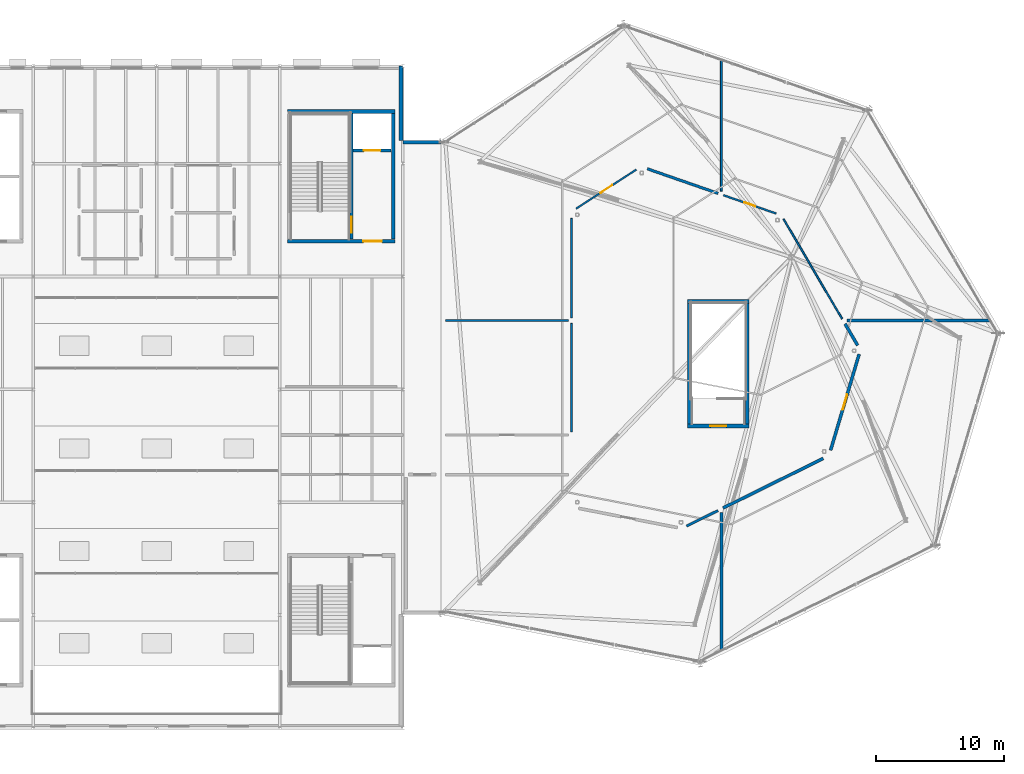
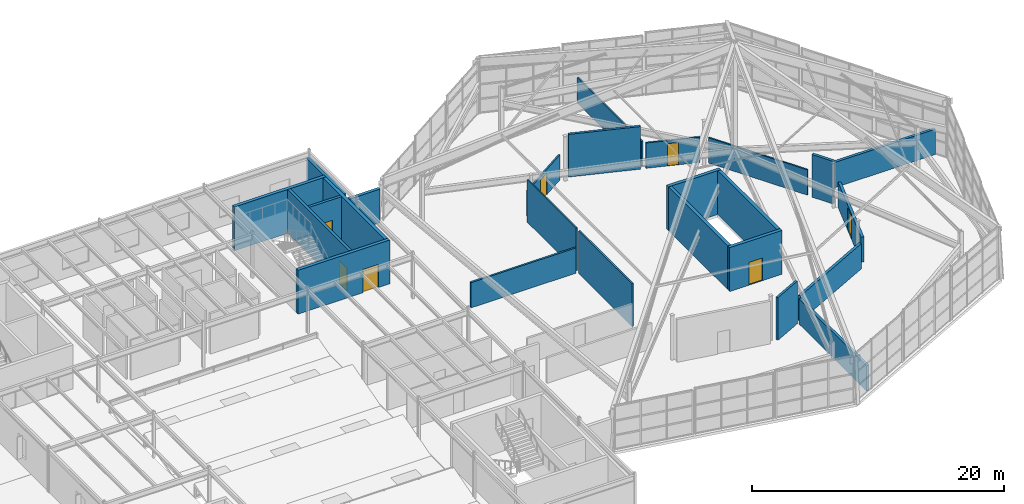
# One storey, part 43 of 50: 25 walls, 7 doors, 7 openings.
"""IFC4 building model written with IfcOpenShell, lengths in metres."""

from ifc_helpers import new_model, si_unit, direction, frame, frame_2d, origin, place, context, subcontext, project, spatial, rectangle, extrude, material, layer, layer_set, type_object, element, fill, save


model = new_model("IFC4")

# Units and contexts
model_context = context("Model", 3, precision=1e-05, world=origin(), true_north=direction((0.0, 1.0)))
body_context = subcontext(model_context, "Body", "Model", "MODEL_VIEW")
ifc_project = project(units=[si_unit("LENGTHUNIT", "METRE"), si_unit("AREAUNIT", "SQUARE_METRE"), si_unit("VOLUMEUNIT", "CUBIC_METRE"), si_unit("PLANEANGLEUNIT", "RADIAN"), si_unit("MASSUNIT", "GRAM", prefix="KILO")], contexts=[model_context])

# Site, building, storey
site_placement = place(None, origin())
site = spatial("IfcSite", under=ifc_project, at=site_placement, CompositionType="ELEMENT")
building_placement = place(site_placement, origin())
building = spatial("IfcBuilding", under=site, at=building_placement, Name="Sarnbrook Museum", CompositionType="ELEMENT")
storey_placement = place(building_placement, frame((0.0, 0.0, 28.10009765625)))
storey = spatial("IfcBuildingStorey", under=building, at=storey_placement, Name="L05", CompositionType="ELEMENT", Elevation=28.10009765625)

# Wall, opening, door
ifc_material_1 = material(Name="Concrete N50 (AS 3600, f'c = 50 MPa)", Category="concrete")
ifc_layer_1 = layer(ifc_material_1, 0.300048828125)
ifc_layer_set_1 = layer_set([ifc_layer_1], Name="Concrete N50 (AS 3600, f'c = 50 MPa)")
wall_type_1 = type_object("IfcWallType", Name="CoreWall_CWRC", PredefinedType="SHEAR", material=ifc_layer_set_1)
wall_1_placement = place(storey_placement, frame((110.199951171875, 94.75, 0.0), z_axis=(0.0, 0.0, 1.0), x_axis=(1.0, 0.0, 0.0)))
wall_1 = element("IfcWall", 1, at=wall_1_placement, inside=storey, type_object=wall_type_1, Name="Core C2 Shear Wall S L05", PredefinedType="SHEAR", context=body_context, shape_type="SweptSolid", body=[
    extrude(rectangle(XDim=8.400146484375, YDim=0.300048828125, at=frame_2d((4.2001953125, 0.0))), origin(), (0.0, 0.0, 1.0), 4.244873046875),
])
opening_1_placement = place(wall_1_placement, frame((5.925048828125, 0.0, 0.0)))
opening_1 = element("IfcOpeningElement", 2, at=opening_1_placement, cuts=wall_1, Name="Opening D-LOB-C2-L05", PredefinedType="OPENING", context=body_context, shape_type="SweptSolid", body=[
    extrude(rectangle(XDim=1.449951171875, YDim=2.25, at=frame_2d((0.72509765625, 1.125))), frame((0.0, 0.16015625, 0.0), z_axis=(0.0, -1.0, 0.0), x_axis=(1.0, 0.0, 0.0)), (0.0, 0.0, 1.0), 0.320068359375),
])
ifc_material_2 = material(Name="Tasmanian Oak Acoustic Timber", Category="wood")
door_type_1 = type_object("IfcDoorType", Name="FireDoor_FD120W", OperationType="NOTDEFINED", PredefinedType="DOOR", material=ifc_material_2)
door_1_placement = place(opening_1_placement, origin())
door_1 = element("IfcDoor", 3, at=door_1_placement, inside=storey, type_object=door_type_1, Name="Core C2 Fire Lobby Entry Door L05", OperationType="SINGLE_SWING_RIGHT", OverallHeight=2.25, OverallWidth=1.449951171875, PredefinedType="DOOR", context=body_context, shape_type="SweptSolid", body=[
    extrude(rectangle(XDim=1.449951171875, YDim=2.25, at=frame_2d((0.72509765625, 1.125))), frame((0.0, 0.02490234375, 0.0), z_axis=(0.0, -1.0, 0.0), x_axis=(1.0, 0.0, 0.0)), (0.0, 0.0, 1.0), 0.050048828125),
])
fill(opening_1, door_1)

# Walls
wall_2_placement = place(storey_placement, frame((118.60009765625, 104.85009765625, 0.0), z_axis=(0.0, 0.0, 1.0), x_axis=(-1.0, 0.0, 0.0)))
element("IfcWall", 4, at=wall_2_placement, inside=storey, type_object=wall_type_1, Name="Core C2 Shear Wall N L05", PredefinedType="SHEAR", context=body_context, shape_type="SweptSolid", body=[
    extrude(rectangle(XDim=8.400146484375, YDim=0.300048828125, at=frame_2d((4.2001953125, 0.0))), origin(), (0.0, 0.0, 1.0), 4.244873046875),
])
wall_3_placement = place(storey_placement, frame((118.449951171875, 94.909912109375, 0.0), z_axis=(0.0, 0.0, 1.0), x_axis=(0.0, 1.0, 0.0)))
element("IfcWall", 5, at=wall_3_placement, inside=storey, type_object=wall_type_1, Name="Core C2 Shear Wall E L05", PredefinedType="SHEAR", context=body_context, shape_type="SweptSolid", body=[
    extrude(rectangle(XDim=9.780029296875, YDim=0.300048828125, at=frame_2d((4.89013671875, 0.0))), origin(), (0.0, 0.0, 1.0), 4.244873046875),
])

# Wall, opening, door
wall_4_placement = place(storey_placement, frame((141.39990234375, 80.35009765625, 0.0), z_axis=(0.0, 0.0, 1.0), x_axis=(1.0, 0.0, 0.0)))
wall_4 = element("IfcWall", 6, at=wall_4_placement, inside=storey, type_object=wall_type_1, Name="Core C7 Shear Wall S L05", PredefinedType="SHEAR", context=body_context, shape_type="SweptSolid", body=[
    extrude(rectangle(XDim=4.800048828125, YDim=0.300048828125, at=frame_2d((2.39990234375, 0.0))), origin(), (0.0, 0.0, 1.0), 4.244873046875),
])
opening_2_placement = place(wall_4_placement, frame((1.77490234375, 0.0, 0.0)))
opening_2 = element("IfcOpeningElement", 7, at=opening_2_placement, cuts=wall_4, Name="Opening D-ST-ST7-L05", PredefinedType="OPENING", context=body_context, shape_type="SweptSolid", body=[
    extrude(rectangle(XDim=1.25, YDim=2.199951171875, at=frame_2d((0.625, 1.10009765625))), frame((0.0, 0.16015625, 0.0), z_axis=(0.0, -1.0, 0.0), x_axis=(1.0, 0.0, 0.0)), (0.0, 0.0, 1.0), 0.320068359375),
])
door_type_2 = type_object("IfcDoorType", Name="FireDoor_FD120", OperationType="NOTDEFINED", PredefinedType="DOOR", material=ifc_material_2)
door_2_placement = place(opening_2_placement, origin())
door_2 = element("IfcDoor", 8, at=door_2_placement, inside=storey, type_object=door_type_2, Name="Exit Stair ST7 Fire Door L05", OperationType="SINGLE_SWING_LEFT", OverallHeight=2.199951171875, OverallWidth=1.25, PredefinedType="DOOR", context=body_context, shape_type="SweptSolid", body=[
    extrude(rectangle(XDim=1.25, YDim=2.199951171875, at=frame_2d((0.625, 1.10009765625))), frame((0.0, 0.02490234375, 0.0), z_axis=(0.0, -1.0, 0.0), x_axis=(1.0, 0.0, 0.0)), (0.0, 0.0, 1.0), 0.050048828125),
])
fill(opening_2, door_2)

# Walls
wall_5_placement = place(storey_placement, frame((146.199951171875, 90.050048828125, 0.0), z_axis=(0.0, 0.0, 1.0), x_axis=(-1.0, 0.0, 0.0)))
element("IfcWall", 9, at=wall_5_placement, inside=storey, type_object=wall_type_1, Name="Core C7 Shear Wall N L05", PredefinedType="SHEAR", context=body_context, shape_type="SweptSolid", body=[
    extrude(rectangle(XDim=4.800048828125, YDim=0.300048828125, at=frame_2d((2.39990234375, 0.0))), origin(), (0.0, 0.0, 1.0), 4.244873046875),
])
for number, where, z_axis, x_axis, name in (
    (10, (146.050048828125, 80.510009765625, 0.0), (0.0, 0.0, 1.0), (0.0, 1.0, 0.0), "Core C7 Shear Wall E L05"),
    (11, (141.550048828125, 89.889892578125, 0.0), (0.0, 0.0, 1.0), (0.0, -1.0, 0.0), "Core C7 Shear Wall W L05"),
):
    element("IfcWall", number, at=place(storey_placement, frame(where, z_axis=z_axis, x_axis=x_axis)), inside=storey, type_object=wall_type_1, Name=name, PredefinedType="SHEAR", context=body_context, shape_type="SweptSolid", body=[
        extrude(rectangle(XDim=9.3798828125, YDim=0.300048828125, at=frame_2d((4.68994140625, 0.0))), origin(), (0.0, 0.0, 1.0), 4.244873046875),
    ])
ifc_material_3 = material(Name="Fire-Rated Acoustic Gypsum Plasterboard")
ifc_layer_2 = layer(ifc_material_3, 0.1201171875)
ifc_layer_set_2 = layer_set([ifc_layer_2], Name="Fire-Rated Acoustic Gypsum Plasterboard")
wall_type_2 = type_object("IfcWallType", Name="PartWall_P120", PredefinedType="PARTITIONING", material=ifc_layer_set_2)
wall_6_placement = place(storey_placement, frame((132.35009765625, 96.52734375, 0.0), z_axis=(0.0, 0.0, 1.0), x_axis=(0.0, -1.0, 0.0)))
element("IfcWall", 12, at=wall_6_placement, inside=storey, type_object=wall_type_2, Name="Interior Partition Wall L05-0825", PredefinedType="PARTITIONING", context=body_context, shape_type="SweptSolid", body=[
    extrude(rectangle(XDim=7.76171875, YDim=0.1201171875, at=frame_2d((3.880859375, 0.0))), origin(), (0.0, 0.0, 1.0), 4.1298828125),
])

# Wall, opening, door
ifc_layer_3 = layer(ifc_material_3, 0.135009765625)
ifc_layer_set_3 = layer_set([ifc_layer_3], Name="Fire-Rated Acoustic Gypsum Plasterboard")
wall_type_3 = type_object("IfcWallType", Name="PartWall_P135", PredefinedType="PARTITIONING", material=ifc_layer_set_3)
wall_7_placement = place(storey_placement, frame((137.409423828125, 100.339111328125, 0.0), z_axis=(0.0, 0.0, 1.0), x_axis=(-0.838914477988, -0.544263262238, 0.0)))
wall_7 = element("IfcWall", 13, at=wall_7_placement, inside=storey, type_object=wall_type_3, Name="Interior Partition Wall L05-0824", PredefinedType="PARTITIONING", context=body_context, shape_type="SweptSolid", body=[
    extrude(rectangle(XDim=5.599609375, YDim=0.135009765625, at=frame_2d((2.7998046875, 0.0))), origin(), (0.0, 0.0, 1.0), 2.449951171875),
])
opening_3_placement = place(wall_7_placement, frame((2.249755859375, 0.0, 0.0)))
opening_3 = element("IfcOpeningElement", 14, at=opening_3_placement, cuts=wall_7, Name="Opening D-L05-233", PredefinedType="OPENING", context=body_context, shape_type="SweptSolid", body=[
    extrude(rectangle(XDim=1.10009765625, YDim=2.080078125, at=frame_2d((0.550048828125, 1.0400390625))), frame((0.0, 0.07763671875, 0.0), z_axis=(0.0, -1.0, 0.0), x_axis=(1.0, 0.0, 0.0)), (0.0, 0.0, 1.0), 0.155029296875),
])
door_type_3 = type_object("IfcDoorType", Name="IntDoor_DT05", OperationType="NOTDEFINED", PredefinedType="DOOR", material=ifc_material_2)
door_3_placement = place(opening_3_placement, origin())
door_3 = element("IfcDoor", 15, at=door_3_placement, inside=storey, type_object=door_type_3, Name="Members' Reading & Salon Pavilion L05-3 Door D-L05-233", OperationType="SINGLE_SWING_LEFT", OverallHeight=2.080078125, OverallWidth=1.10009765625, PredefinedType="DOOR", context=body_context, shape_type="SweptSolid", body=[
    extrude(rectangle(XDim=1.10009765625, YDim=2.080078125, at=frame_2d((0.550048828125, 1.0400390625))), frame((0.0, 0.02490234375, 0.0), z_axis=(0.0, -1.0, 0.0), x_axis=(1.0, 0.0, 0.0)), (0.0, 0.0, 1.0), 0.050048828125),
])
fill(opening_3, door_3)

# Walls
wall_8_placement = place(storey_placement, frame((153.44677734375, 88.693603515625, 0.0), z_axis=(0.0, 0.0, 1.0), x_axis=(-0.506061544591, 0.862497369901, 0.0)))
element("IfcWall", 16, at=wall_8_placement, inside=storey, type_object=wall_type_3, Name="Interior Partition Wall L05-0831", PredefinedType="PARTITIONING", context=body_context, shape_type="SweptSolid", body=[
    extrude(rectangle(XDim=9.02978515625, YDim=0.135009765625, at=frame_2d((4.514892578125, 0.0))), origin(), (0.0, 0.0, 1.0), 2.449951171875),
])
ifc_layer_4 = layer(ifc_material_3, 0.14990234375)
ifc_layer_set_4 = layer_set([ifc_layer_4], Name="Fire-Rated Acoustic Gypsum Plasterboard")
wall_type_4 = type_object("IfcWallType", Name="PartWall_P150", PredefinedType="PARTITIONING", material=ifc_layer_set_4)
wall_9_placement = place(storey_placement, frame((132.35009765625, 88.345703125, 0.0), z_axis=(0.0, 0.0, 1.0), x_axis=(0.0, -1.0, 0.0)))
element("IfcWall", 17, at=wall_9_placement, inside=storey, type_object=wall_type_4, Name="Interior Partition Wall L05-0823", PredefinedType="PARTITIONING", context=body_context, shape_type="SweptSolid", body=[
    extrude(rectangle(XDim=8.4658203125, YDim=0.14990234375, at=frame_2d((4.23291015625, 0.0))), origin(), (0.0, 0.0, 1.0), 4.1298828125),
])

# Wall, opening, door
wall_10_placement = place(storey_placement, frame((148.309326171875, 96.90576171875, 0.0), z_axis=(0.0, 0.0, 1.0), x_axis=(-0.944666442817, 0.328032485916, 0.0)))
wall_10 = element("IfcWall", 18, at=wall_10_placement, inside=storey, type_object=wall_type_4, Name="Interior Partition Wall L05-0830", PredefinedType="PARTITIONING", context=body_context, shape_type="SweptSolid", body=[
    extrude(rectangle(XDim=4.364990234375, YDim=0.14990234375, at=frame_2d((2.1826171875, 0.0))), origin(), (0.0, 0.0, 1.0), 2.449951171875),
])
opening_4_placement = place(wall_10_placement, frame((1.72265625, 0.0, 0.0)))
opening_4 = element("IfcOpeningElement", 19, at=opening_4_placement, cuts=wall_10, Name="Opening D-L05-235", PredefinedType="OPENING", context=body_context, shape_type="SweptSolid", body=[
    extrude(rectangle(XDim=0.919921875, YDim=2.159912109375, at=frame_2d((0.4599609375, 1.080078125))), frame((0.0, 0.0849609375, 0.0), z_axis=(0.0, -1.0, 0.0), x_axis=(1.0, 0.0, 0.0)), (0.0, 0.0, 1.0), 0.169921875),
])
door_type_4 = type_object("IfcDoorType", Name="IntDoor_DT07", OperationType="NOTDEFINED", PredefinedType="DOOR", material=ifc_material_2)
door_4_placement = place(opening_4_placement, origin())
door_4 = element("IfcDoor", 20, at=door_4_placement, inside=storey, type_object=door_type_4, Name="Belvedere Sky-Lit Natural Art Gallery L05-5 Door D-L05-235", OperationType="SINGLE_SWING_LEFT", OverallHeight=2.159912109375, OverallWidth=0.919921875, PredefinedType="DOOR", context=body_context, shape_type="SweptSolid", body=[
    extrude(rectangle(XDim=0.919921875, YDim=2.159912109375, at=frame_2d((0.4599609375, 1.080078125))), frame((0.0, 0.02490234375, 0.0), z_axis=(0.0, -1.0, 0.0), x_axis=(1.0, 0.0, 0.0)), (0.0, 0.0, 1.0), 0.050048828125),
])
fill(opening_4, door_4)

# Walls
wall_11_placement = place(storey_placement, frame((144.038330078125, 108.83740234375, 0.0), z_axis=(0.0, 0.0, 1.0), x_axis=(0.0, -1.0, 0.0)))
element("IfcWall", 21, at=wall_11_placement, inside=storey, type_object=wall_type_4, Name="Interior Partition Wall L05-0837", PredefinedType="PARTITIONING", context=body_context, shape_type="SweptSolid", body=[
    extrude(rectangle(XDim=10.174072265625, YDim=0.14990234375, at=frame_2d((5.0869140625, 0.0))), origin(), (0.0, 0.0, 1.0), 2.449951171875),
])
ifc_layer_5 = layer(ifc_material_3, 0.1650390625)
ifc_layer_set_5 = layer_set([ifc_layer_5], Name="Fire-Rated Acoustic Gypsum Plasterboard")
wall_type_5 = type_object("IfcWallType", Name="PartWall_P165", PredefinedType="PARTITIONING", material=ifc_layer_set_5)
wall_12_placement = place(storey_placement, frame((122.522216796875, 88.57568359375, 0.0), z_axis=(0.0, 0.0, 1.0), x_axis=(1.0, 0.0, 0.0)))
element("IfcWall", 22, at=wall_12_placement, inside=storey, type_object=wall_type_5, Name="Interior Partition Wall L05-0836", PredefinedType="PARTITIONING", context=body_context, shape_type="SweptSolid", body=[
    extrude(rectangle(XDim=9.597900390625, YDim=0.1650390625, at=frame_2d((4.798828125, 0.0))), origin(), (0.0, 0.0, 1.0), 2.449951171875),
])
ifc_layer_6 = layer(ifc_material_3, 0.195068359375)
ifc_layer_set_6 = layer_set([ifc_layer_6], Name="Fire-Rated Acoustic Gypsum Plasterboard")
wall_type_6 = type_object("IfcWallType", Name="PartWall_P195", PredefinedType="PARTITIONING", material=ifc_layer_set_6)
wall_13_placement = place(storey_placement, frame((141.314697265625, 72.538330078125, 0.0), z_axis=(0.0, 0.0, 1.0), x_axis=(0.896183224419, 0.443684153729, 0.0)))
element("IfcWall", 23, at=wall_13_placement, inside=storey, type_object=wall_type_6, Name="Interior Partition Wall L05-0820", PredefinedType="PARTITIONING", context=body_context, shape_type="SweptSolid", body=[
    extrude(rectangle(XDim=2.741943359375, YDim=0.195068359375, at=frame_2d((1.37109375, 0.0))), origin(), (0.0, 0.0, 1.0), 4.1298828125),
])
ifc_layer_7 = layer(ifc_material_3, 0.2099609375)
ifc_layer_set_7 = layer_set([ifc_layer_7], Name="Fire-Rated Acoustic Gypsum Plasterboard")
wall_type_7 = type_object("IfcWallType", Name="PartWall_P210", PredefinedType="PARTITIONING", material=ifc_layer_set_7)
wall_14_placement = place(storey_placement, frame((143.77880859375, 98.478759765625, 0.0), z_axis=(0.0, 0.0, 1.0), x_axis=(-0.94466592491, 0.328033977378, 0.0)))
element("IfcWall", 24, at=wall_14_placement, inside=storey, type_object=wall_type_7, Name="Interior Partition Wall L05-0826", PredefinedType="PARTITIONING", context=body_context, shape_type="SweptSolid", body=[
    extrude(rectangle(XDim=5.837890625, YDim=0.2099609375, at=frame_2d((2.9189453125, 0.0))), origin(), (0.0, 0.0, 1.0), 4.1298828125),
])

# Wall, opening, door
ifc_material_4 = material(Name="Concrete N40 (AS 3600, f'c = 40 MPa)", Category="concrete")
ifc_layer_8 = layer(ifc_material_4, 0.239990234375)
ifc_layer_set_8 = layer_set([ifc_layer_8], Name="Concrete N40 (AS 3600, f'c = 40 MPa)")
wall_type_8 = type_object("IfcWallType", Name="ShaftWall_SWRC", PredefinedType="SOLIDWALL", material=ifc_layer_set_8)
wall_15_placement = place(storey_placement, frame((115.18994140625, 94.909912109375, 0.0), z_axis=(0.0, 0.0, 1.0), x_axis=(0.0, 1.0, 0.0)))
wall_15 = element("IfcWall", 25, at=wall_15_placement, inside=storey, type_object=wall_type_8, Name="Stairwell ST2 Fire Shaft Wall L05", PredefinedType="SOLIDWALL", context=body_context, shape_type="SweptSolid", body=[
    extrude(rectangle(XDim=9.780029296875, YDim=0.239990234375, at=frame_2d((4.89013671875, 0.0))), origin(), (0.0, 0.0, 1.0), 4.244873046875),
])
opening_5_placement = place(wall_15_placement, frame((0.514892578125, 0.0, 0.0)))
opening_5 = element("IfcOpeningElement", 26, at=opening_5_placement, cuts=wall_15, Name="Opening D-ST-ST2-L05", PredefinedType="OPENING", context=body_context, shape_type="SweptSolid", body=[
    extrude(rectangle(XDim=1.25, YDim=2.199951171875, at=frame_2d((0.625, 1.10009765625))), frame((0.0, 0.1298828125, 0.0), z_axis=(0.0, -1.0, 0.0), x_axis=(1.0, 0.0, 0.0)), (0.0, 0.0, 1.0), 0.260009765625),
])
door_5_placement = place(opening_5_placement, origin())
door_5 = element("IfcDoor", 27, at=door_5_placement, inside=storey, type_object=door_type_2, Name="Exit Stair ST2 Fire Door L05", OperationType="SINGLE_SWING_LEFT", OverallHeight=2.199951171875, OverallWidth=1.25, PredefinedType="DOOR", context=body_context, shape_type="SweptSolid", body=[
    extrude(rectangle(XDim=1.25, YDim=2.199951171875, at=frame_2d((0.625, 1.10009765625))), frame((0.0, 0.02490234375, 0.0), z_axis=(0.0, -1.0, 0.0), x_axis=(1.0, 0.0, 0.0)), (0.0, 0.0, 1.0), 0.050048828125),
])
fill(opening_5, door_5)

wall_16_placement = place(storey_placement, frame((115.320068359375, 101.820068359375, 0.0), z_axis=(0.0, 0.0, 1.0), x_axis=(1.0, 0.0, 0.0)))
wall_16 = element("IfcWall", 28, at=wall_16_placement, inside=storey, type_object=wall_type_8, Name="Lift EL2 Shaft Front Wall L05", PredefinedType="SOLIDWALL", context=body_context, shape_type="SweptSolid", body=[
    extrude(rectangle(XDim=2.969970703125, YDim=0.239990234375, at=frame_2d((1.48486328125, 0.0))), origin(), (0.0, 0.0, 1.0), 4.244873046875),
])
opening_6_placement = place(wall_16_placement, frame((0.8349609375, 0.0, 0.0)))
opening_6 = element("IfcOpeningElement", 29, at=opening_6_placement, cuts=wall_16, Name="Opening LD-EL2-L05", PredefinedType="OPENING", context=body_context, shape_type="SweptSolid", body=[
    extrude(rectangle(XDim=1.300048828125, YDim=2.25, at=frame_2d((0.64990234375, 1.125))), frame((0.0, 0.1298828125, 0.0), z_axis=(0.0, -1.0, 0.0), x_axis=(1.0, 0.0, 0.0)), (0.0, 0.0, 1.0), 0.260009765625),
])
ifc_material_5 = material(Name="Brushed Stainless Steel Grade 316", Category="steel")
door_type_5 = type_object("IfcDoorType", Name="LiftDoor_FF130", OperationType="DOUBLE_DOOR_SLIDING", PredefinedType="DOOR", material=ifc_material_5)
door_6_placement = place(opening_6_placement, origin())
door_6 = element("IfcDoor", 30, at=door_6_placement, inside=storey, type_object=door_type_5, Name="Lift Landing Sliding Door LD-EL2-L05", OperationType="DOUBLE_DOOR_SLIDING", OverallHeight=2.25, OverallWidth=1.300048828125, PredefinedType="DOOR", context=body_context, shape_type="SweptSolid", body=[
    extrude(rectangle(XDim=1.300048828125, YDim=2.25, at=frame_2d((0.64990234375, 1.125))), frame((0.0, 0.02490234375, 0.0), z_axis=(0.0, -1.0, 0.0), x_axis=(1.0, 0.0, 0.0)), (0.0, 0.0, 1.0), 0.050048828125),
])
fill(opening_6, door_6)

wall_17_placement = place(storey_placement, frame((152.54931640625, 78.45556640625, 0.0), z_axis=(0.0, 0.0, 1.0), x_axis=(0.284584370511, 0.958650998049, 0.0)))
wall_17 = element("IfcWall", 31, at=wall_17_placement, inside=storey, type_object=wall_type_8, Name="Interior Partition Wall L05-0827", PredefinedType="SOLIDWALL", context=body_context, shape_type="SweptSolid", body=[
    extrude(rectangle(XDim=7.808349609375, YDim=0.239990234375, at=frame_2d((3.904296875, 0.0))), origin(), (0.0, 0.0, 1.0), 2.449951171875),
])
opening_7_placement = place(wall_17_placement, frame((3.279296875, 0.0, 0.0)))
opening_7 = element("IfcOpeningElement", 32, at=opening_7_placement, cuts=wall_17, Name="Opening D-L05-234", PredefinedType="OPENING", context=body_context, shape_type="SweptSolid", body=[
    extrude(rectangle(XDim=1.25, YDim=2.199951171875, at=frame_2d((0.625, 1.10009765625))), frame((0.0, 0.1298828125, 0.0), z_axis=(0.0, -1.0, 0.0), x_axis=(1.0, 0.0, 0.0)), (0.0, 0.0, 1.0), 0.260009765625),
])
door_7_placement = place(opening_7_placement, origin())
door_7 = element("IfcDoor", 33, at=door_7_placement, inside=storey, type_object=door_type_2, Name="Environmental AHU & Smoke Extract Plant L05-4 Door D-L05-234", OperationType="SINGLE_SWING_RIGHT", OverallHeight=2.199951171875, OverallWidth=1.25, PredefinedType="DOOR", context=body_context, shape_type="SweptSolid", body=[
    extrude(rectangle(XDim=1.25, YDim=2.199951171875, at=frame_2d((0.625, 1.10009765625))), frame((0.0, 0.02490234375, 0.0), z_axis=(0.0, -1.0, 0.0), x_axis=(1.0, 0.0, 0.0)), (0.0, 0.0, 1.0), 0.050048828125),
])
fill(opening_7, door_7)

# Walls
wall_18_placement = place(storey_placement, frame((154.657958984375, 86.62890625, 0.0), z_axis=(0.0, 0.0, 1.0), x_axis=(-0.505961073315, 0.862556312533, 0.0)))
element("IfcWall", 34, at=wall_18_placement, inside=storey, type_object=wall_type_8, Name="Interior Partition Wall L05-0828", PredefinedType="SOLIDWALL", context=body_context, shape_type="SweptSolid", body=[
    extrude(rectangle(XDim=1.945068359375, YDim=0.239990234375, at=frame_2d((0.97265625, 0.0))), origin(), (0.0, 0.0, 1.0), 4.1298828125),
])
wall_19_placement = place(storey_placement, frame((144.1669921875, 73.95068359375, 0.0), z_axis=(0.0, 0.0, 1.0), x_axis=(0.896176021212, 0.443698702956, 0.0)))
element("IfcWall", 35, at=wall_19_placement, inside=storey, type_object=wall_type_8, Name="Interior Partition Wall L05-0829", PredefinedType="SOLIDWALL", context=body_context, shape_type="SweptSolid", body=[
    extrude(rectangle(XDim=8.704833984375, YDim=0.239990234375, at=frame_2d((4.3525390625, 0.0))), origin(), (0.0, 0.0, 1.0), 2.449951171875),
])
wall_20_placement = place(storey_placement, frame((144.038330078125, 73.589599609375, 0.0), z_axis=(0.0, 0.0, 1.0), x_axis=(0.0, -1.0, 0.0)))
element("IfcWall", 36, at=wall_20_placement, inside=storey, type_object=wall_type_8, Name="Interior Partition Wall L05-0835", PredefinedType="SOLIDWALL", context=body_context, shape_type="SweptSolid", body=[
    extrude(rectangle(XDim=10.73779296875, YDim=0.239990234375, at=frame_2d((5.368896484375, 0.0))), origin(), (0.0, 0.0, 1.0), 2.449951171875),
])
wall_21_placement = place(storey_placement, frame((153.827880859375, 88.57568359375, 0.0), z_axis=(0.0, 0.0, 1.0), x_axis=(1.0, 0.0, 0.0)))
element("IfcWall", 37, at=wall_21_placement, inside=storey, type_object=wall_type_8, Name="Interior Partition Wall L05-0838", PredefinedType="SOLIDWALL", context=body_context, shape_type="SweptSolid", body=[
    extrude(rectangle(XDim=11.166259765625, YDim=0.239990234375, at=frame_2d((5.5830078125, 0.0))), origin(), (0.0, 0.0, 1.0), 2.449951171875),
])
ifc_material_6 = material(Name="Victorian Bluestone Ashlar Masonry", Category="masonry")
ifc_layer_9 = layer(ifc_material_6, 0.280029296875)
ifc_layer_set_9 = layer_set([ifc_layer_9], Name="Victorian Bluestone Ashlar Masonry")
wall_type_9 = type_object("IfcWallType", Name="Wall_LimestoneClad280", PredefinedType="STANDARD", material=ifc_layer_set_9)
wall_22_placement = place(storey_placement, frame((122.162109375, 102.45068359375, 0.0), z_axis=(0.0, 0.0, 1.0), x_axis=(-1.0, 0.0, 0.0)))
element("IfcWall", 38, at=wall_22_placement, inside=storey, type_object=wall_type_9, Name="Classical Sandstone Facade Wall L05-04", PredefinedType="STANDARD", context=body_context, shape_type="SweptSolid", body=[
    extrude(rectangle(XDim=2.962158203125, YDim=0.280029296875, at=frame_2d((1.48095703125, 0.0))), origin(), (0.0, 0.0, 1.0), 3.2548828125),
])
wall_23_placement = place(storey_placement, frame((119.06005859375, 102.5908203125, 0.0), z_axis=(0.0, 0.0, 1.0), x_axis=(0.0, 1.0, 0.0)))
element("IfcWall", 39, at=wall_23_placement, inside=storey, type_object=wall_type_9, Name="Classical Sandstone Facade Wall L05-05", PredefinedType="STANDARD", context=body_context, shape_type="SweptSolid", body=[
    extrude(rectangle(XDim=5.80908203125, YDim=0.280029296875, at=frame_2d((2.904541015625, 0.0))), origin(), (0.0, 0.0, 1.0), 3.701904296875),
])

save(model, "model.ifc")
